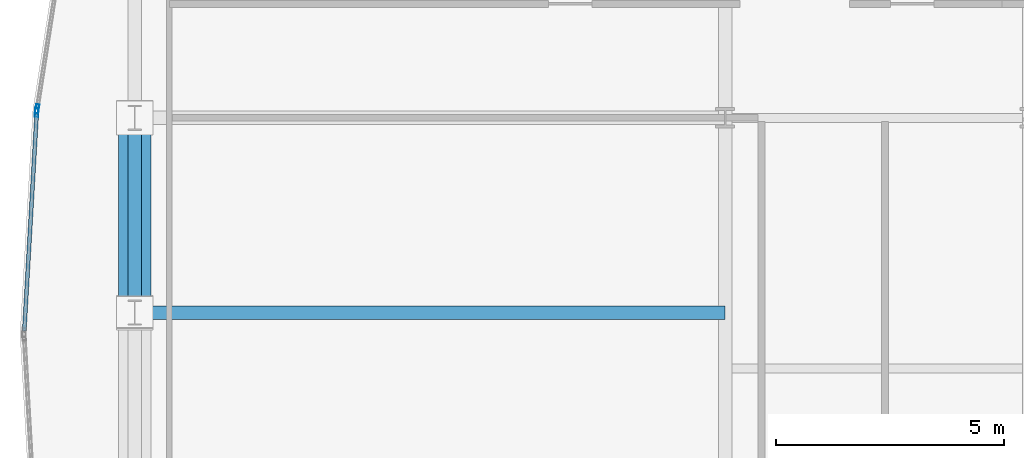
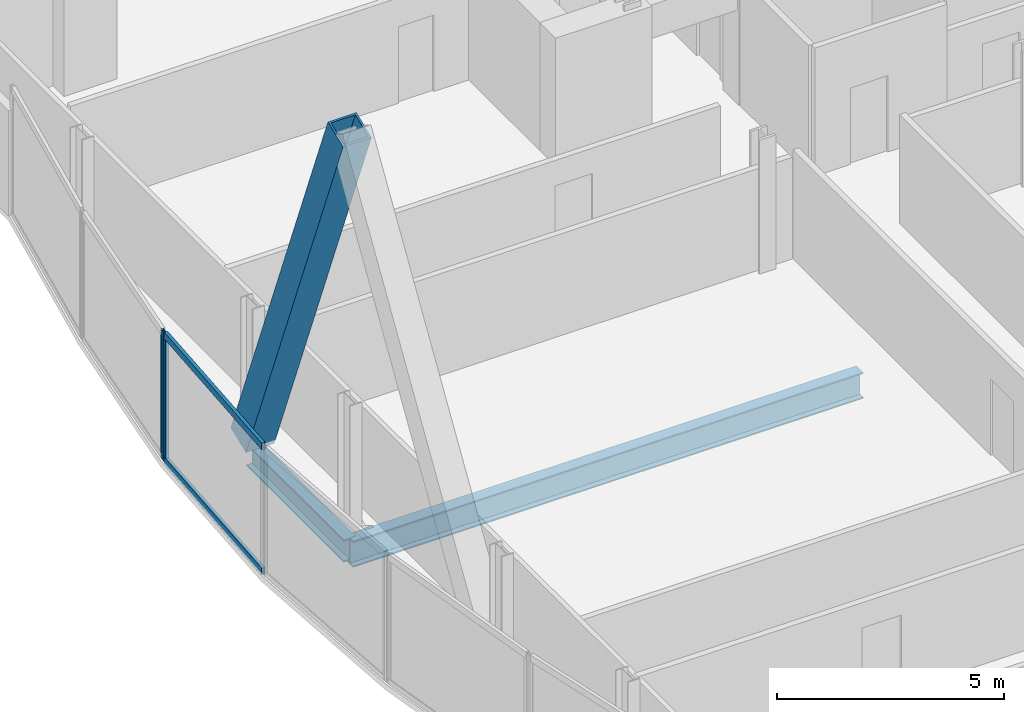
# One storey, part 11 of 30: 5 members, 2 beams, 2 elements without a shape of their own.
"""IFC4 building model written with IfcOpenShell, lengths in metres."""

from ifc_helpers import new_model, si_unit, direction, frame, origin, origin_2d, place, context, subcontext, project, spatial, hollow_rectangle, i_section, extrude, material, material_profile, profile_set, type_object, element, aggregate, save


model = new_model("IFC4")

# Units and contexts
model_context = context("Model", 3, precision=1e-05, world=origin(), true_north=direction((0.0, 1.0)))
body_context = subcontext(model_context, "Body", "Model", "MODEL_VIEW")
ifc_project = project(units=[si_unit("LENGTHUNIT", "METRE"), si_unit("AREAUNIT", "SQUARE_METRE"), si_unit("VOLUMEUNIT", "CUBIC_METRE"), si_unit("PLANEANGLEUNIT", "RADIAN"), si_unit("MASSUNIT", "GRAM", prefix="KILO")], contexts=[model_context])

# Site, building, storey
site_placement = place(None, origin())
site = spatial("IfcSite", under=ifc_project, at=site_placement, CompositionType="ELEMENT")
building_placement = place(site_placement, origin())
building = spatial("IfcBuilding", under=site, at=building_placement, Name="Khoronbel Lancet Exchange", CompositionType="ELEMENT")
storey_placement = place(building_placement, frame((0.0, 0.0, 157.800048828125)))
storey = spatial("IfcBuildingStorey", under=building, at=storey_placement, Name="L39", CompositionType="ELEMENT", Elevation=157.800048828125)

# Beams
ifc_material_1 = material(Name="Steel S355", Category="steel")
ifc_material_profile_1 = material_profile(ifc_material_1, i_section(OverallWidth=0.300048828125, OverallDepth=0.699951171875, WebThickness=0.01708984375, FlangeThickness=0.031982421875, at=origin_2d()), Name="HEB 700")
ifc_profile_set_1 = profile_set([ifc_material_profile_1], Name="Steel S355")
beam_type_1 = type_object("IfcBeamType", Name="BM-BG3", PredefinedType="BEAM", material=ifc_profile_set_1)
beam_1_placement = place(storey_placement, frame((5.27001953125, 31.425048828125, -0.510009765625), z_axis=(1.0, 0.0, 0.0), x_axis=(0.0, 1.0, 0.0)))
element("IfcBeam", 1, at=beam_1_placement, inside=storey, type_object=beam_type_1, Name="Level L39 west lens tie girder LG2W", PredefinedType="BEAM", context=body_context, shape_type="SweptSolid", body=[
    extrude(i_section(OverallWidth=0.300048828125, OverallDepth=0.699951171875, WebThickness=0.01708984375, FlangeThickness=0.031982421875, at=origin_2d()), origin(), (0.0, 0.0, 1.0), 12.955078125),
])
ifc_material_profile_2 = material_profile(ifc_material_1, i_section(OverallWidth=0.300048828125, OverallDepth=0.60009765625, WebThickness=0.015380859375, FlangeThickness=0.030029296875, at=origin_2d()), Name="HEB 600")
ifc_profile_set_2 = profile_set([ifc_material_profile_2], Name="Steel S355")
beam_type_2 = type_object("IfcBeamType", Name="BM-BSP2", PredefinedType="SPANDREL", material=ifc_profile_set_2)
beam_2_placement = place(storey_placement, frame((5.27001953125, 35.699951171875, -0.4599609375), z_axis=(0.0, -1.0, 0.0), x_axis=(1.0, 0.0, 0.0)))
element("IfcBeam", 2, at=beam_2_placement, inside=storey, type_object=beam_type_2, Name="Level L39 perimeter spandrel beam SP18", PredefinedType="SPANDREL", context=body_context, shape_type="SweptSolid", body=[
    extrude(i_section(OverallWidth=0.300048828125, OverallDepth=0.60009765625, WebThickness=0.015380859375, FlangeThickness=0.030029296875, at=origin_2d()), origin(), (0.0, 0.0, 1.0), 4.27490234375),
])

# Curtain wall, member
ifc_material_2 = material(Name="Low-E Solar Control Insulating Glass", Category="glass")
curtain_wall_type = type_object("IfcCurtainWallType", Name="CW-4", PredefinedType="NOTDEFINED", material=ifc_material_2)
curtain_wall_1_placement = place(storey_placement, origin())
curtain_wall_1 = element("IfcCurtainWall", 3, at=curtain_wall_1_placement, inside=storey, type_object=curtain_wall_type, Name="Unitised curtain wall CW-L39-E07", PredefinedType="NOTDEFINED")
ifc_material_3 = material(Name="Bronze-Anodised Aluminium 6063-T6", Category="aluminium")
ifc_material_profile_3 = material_profile(ifc_material_3, hollow_rectangle(XDim=0.074951171875, YDim=0.199951171875, WallThickness=0.0048828125, at=origin_2d()), Name="ALU MULLION 75x200")
ifc_profile_set_3 = profile_set([ifc_material_profile_3], Name="Bronze-Anodised Aluminium 6063-T6")
member_type_1 = type_object("IfcMemberType", Name="MEM-CWM2", PredefinedType="MULLION", material=ifc_profile_set_3)
member_1_placement = place(storey_placement, frame((3.1220703125, 35.81982421875, 0.0), z_axis=(0.0, 0.0, 1.0), x_axis=(-0.998372625392, 0.05702719411, 0.0)))
member_1 = element("IfcMember", 4, at=member_1_placement, type_object=member_type_1, Name="CW4 mullion 2", PredefinedType="MULLION", context=body_context, shape_type="SweptSolid", body=[
    extrude(hollow_rectangle(XDim=0.074951171875, YDim=0.199951171875, WallThickness=0.0048828125, at=origin_2d()), origin(), (0.0, 0.0, 1.0), 3.43994140625),
])

curtain_wall_2_placement = place(storey_placement, origin())
curtain_wall_2 = element("IfcCurtainWall", 5, at=curtain_wall_2_placement, inside=storey, type_object=curtain_wall_type, Name="Unitised curtain wall CW-L39-E08", PredefinedType="NOTDEFINED")
member_2_placement = place(storey_placement, frame((3.1298828125, 35.894287109375, 0.0), z_axis=(0.0, 0.0, 1.0), x_axis=(-0.98804136719, 0.154189029189, 0.0)))
member_2 = element("IfcMember", 6, at=member_2_placement, type_object=member_type_1, Name="CW4 mullion 1", PredefinedType="MULLION", context=body_context, shape_type="SweptSolid", body=[
    extrude(hollow_rectangle(XDim=0.074951171875, YDim=0.199951171875, WallThickness=0.0048828125, at=origin_2d()), origin(), (0.0, 0.0, 1.0), 3.43994140625),
])
aggregate(curtain_wall_2, [member_2])

# Member
ifc_material_profile_4 = material_profile(ifc_material_3, hollow_rectangle(XDim=0.0849609375, YDim=0.179931640625, WallThickness=0.0048828125, at=origin_2d()), Name="ALU TRANSOM 85x180")
ifc_profile_set_4 = profile_set([ifc_material_profile_4], Name="Bronze-Anodised Aluminium 6063-T6")
member_type_2 = type_object("IfcMemberType", Name="MEM-CWT1", PredefinedType="USERDEFINED", material=ifc_profile_set_4)
member_3_placement = place(storey_placement, frame((2.84814453125, 31.02490234375, 0.04248046875), z_axis=(0.057024985757, 0.998372751531, 0.0), x_axis=(-0.998372751531, 0.057024985757, 0.0)))
member_3 = element("IfcMember", 7, at=member_3_placement, type_object=member_type_2, Name="CW4 transom 1.1", ObjectType="TRANSOM", PredefinedType="USERDEFINED", context=body_context, shape_type="SweptSolid", body=[
    extrude(hollow_rectangle(XDim=0.0849609375, YDim=0.179931640625, WallThickness=0.0048828125, at=origin_2d()), origin(), (0.0, 0.0, 1.0), 4.76513671875),
])

member_4_placement = place(storey_placement, frame((2.84814453125, 31.02490234375, 3.3974609375), z_axis=(0.057024985757, 0.998372751531, 0.0), x_axis=(-0.998372751531, 0.057024985757, 0.0)))
member_4 = element("IfcMember", 8, at=member_4_placement, type_object=member_type_2, Name="CW4 transom 1.2", ObjectType="TRANSOM", PredefinedType="USERDEFINED", context=body_context, shape_type="SweptSolid", body=[
    extrude(hollow_rectangle(XDim=0.0849609375, YDim=0.179931640625, WallThickness=0.0048828125, at=origin_2d()), origin(), (0.0, 0.0, 1.0), 4.76513671875),
])

aggregate(curtain_wall_1, [member_1, member_3, member_4])

ifc_material_4 = material(Name="Steel S460", Category="steel")
ifc_material_profile_5 = material_profile(ifc_material_4, hollow_rectangle(XDim=0.719970703125, YDim=0.719970703125, WallThickness=0.050048828125, at=origin_2d()), Name="BOX 720x720x50")
ifc_profile_set_5 = profile_set([ifc_material_profile_5], Name="Steel S460")
member_type_3 = type_object("IfcMemberType", Name="MEM-MB2", PredefinedType="BRACE", material=ifc_profile_set_5)
member_5_placement = place(storey_placement, frame((5.27001953125, 35.699951171875, 0.0), z_axis=(0.0, -0.368039743753, 0.929810059646), x_axis=(1.0, 0.0, 0.0)))
element("IfcMember", 9, at=member_5_placement, inside=storey, type_object=member_type_3, Name="Perimeter lancet brace tier 13 W-P-R", PredefinedType="BRACE", context=body_context, shape_type="SweptSolid", body=[
    extrude(hollow_rectangle(XDim=0.719970703125, YDim=0.719970703125, WallThickness=0.050048828125, at=origin_2d()), origin(), (0.0, 0.0, 1.0), 11.615234375),
])

save(model, "model.ifc")
